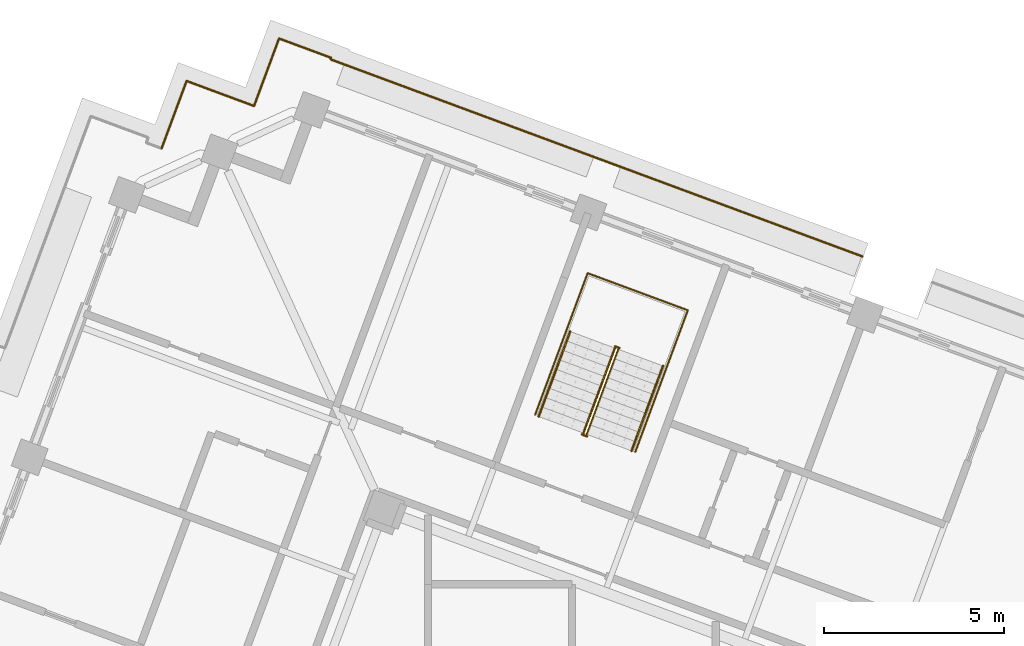
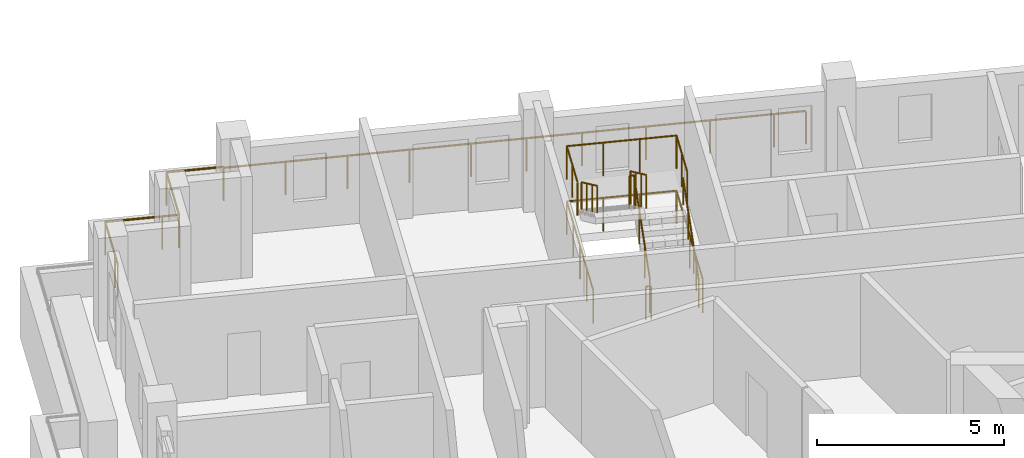
# One storey, part 17 of 19: 8 railings.
"""IFC4 building model written with IfcOpenShell, lengths in metres."""

from ifc_helpers import new_model, si_unit, direction, frame, origin, origin_2d, place, context, subcontext, project, spatial, circle, extrude, material, type_object, element, save


model = new_model("IFC4")

# Units and contexts
model_context = context("Model", 3, precision=1e-05, world=origin(), true_north=direction((0.0, 1.0)))
body_context = subcontext(model_context, "Body", "Model", "MODEL_VIEW")
ifc_project = project(units=[si_unit("LENGTHUNIT", "METRE"), si_unit("AREAUNIT", "SQUARE_METRE"), si_unit("VOLUMEUNIT", "CUBIC_METRE"), si_unit("PLANEANGLEUNIT", "RADIAN"), si_unit("MASSUNIT", "GRAM", prefix="KILO")], contexts=[model_context])

# Site, building, storey
site_placement = place(None, origin())
site = spatial("IfcSite", under=ifc_project, at=site_placement, CompositionType="ELEMENT")
building_placement = place(site_placement, origin())
building = spatial("IfcBuilding", under=site, at=building_placement, Name="Cantera Rosa Tower", CompositionType="ELEMENT")
storey_placement = place(building_placement, frame((0.0, 0.0, 327.699951171875)))
storey = spatial("IfcBuildingStorey", under=building, at=storey_placement, Name="L73", CompositionType="ELEMENT", Elevation=327.699951171875)

# Railings
ifc_material_1 = material(Name="Stainless steel and laminated glass", Category="steel")
railing_type_1 = type_object("IfcRailingType", Name="GUARD 1100", PredefinedType="BALUSTRADE", material=ifc_material_1)
railing_1_placement = place(storey_placement, frame((-11.4072265625, 26.618408203125, 0.0)))
element("IfcRailing", 1, at=railing_1_placement, inside=storey, type_object=railing_type_1, Name="GUARD L73-5", PredefinedType="BALUSTRADE", context=body_context, shape_type="SweptSolid", body=[
    extrude(circle(Radius=0.030029296875, at=origin_2d()), frame((0.0, 0.0, 1.070068359375), z_axis=(0.347349380186, 0.937735787994, 0.0), x_axis=(-0.937735787994, 0.347349380186, 0.0)), (0.0, 0.0, 1.0), 0.4541015625),
    extrude(circle(Radius=0.030029296875, at=origin_2d()), frame((0.15771484375, 0.42578125, 1.070068359375), z_axis=(0.347468671564, 0.937691592306, 0.0), x_axis=(-0.937691592306, 0.347468671564, 0.0)), (0.0, 0.0, 1.0), 1.5458984375),
    extrude(circle(Radius=0.030029296875, at=origin_2d()), frame((0.69482421875, 1.875244140625, 1.070068359375), z_axis=(0.937691592306, -0.347468671564, 0.0), x_axis=(0.347468671564, 0.937691592306, 0.0)), (0.0, 0.0, 1.0), 1.5458984375),
    extrude(circle(Radius=0.030029296875, at=origin_2d()), frame((2.144287109375, 1.338134765625, 1.070068359375), z_axis=(0.937625552155, -0.347646837962, 0.0), x_axis=(0.347646837962, 0.937625552155, 0.0)), (0.0, 0.0, 1.0), 0.454345703125),
    extrude(circle(Radius=0.030029296875, at=origin_2d()), frame((2.5703125, 1.18017578125, 1.070068359375), z_axis=(0.347401818267, 0.937716362588, 0.0), x_axis=(-0.937716362588, 0.347401818267, 0.0)), (0.0, 0.0, 1.0), 2.0),
    extrude(circle(Radius=0.030029296875, at=origin_2d()), frame((3.26513671875, 3.0556640625, 1.070068359375), z_axis=(0.937710656911, -0.347417218795, 0.0), x_axis=(0.347417218795, 0.937710656911, 0.0)), (0.0, 0.0, 1.0), 1.5458984375),
    extrude(circle(Radius=0.030029296875, at=origin_2d()), frame((4.71484375, 2.5185546875, 1.070068359375), z_axis=(-0.351123441588, -0.936329177569, 0.0), x_axis=(0.936329177569, -0.351123441588, 0.0)), (0.0, 0.0, 1.0), 0.0458984375),
    extrude(circle(Radius=0.030029296875, at=origin_2d()), frame((4.69873046875, 2.4755859375, 1.070068359375), z_axis=(0.937686328856, -0.347482875373, 0.0), x_axis=(0.347482875373, 0.937686328856, 0.0)), (0.0, 0.0, 1.0), 6.699951171875),
    extrude(circle(Radius=0.030029296875, at=origin_2d()), frame((10.981201171875, 0.1474609375, 1.070068359375), z_axis=(0.93768985062, -0.347473371704, 0.0), x_axis=(0.347473371704, 0.93768985062, 0.0)), (0.0, 0.0, 1.0), 3.000244140625),
    extrude(circle(Radius=0.030029296875, at=origin_2d()), frame((13.79443359375, -0.89501953125, 1.070068359375), z_axis=(0.937688147358, -0.347477968085, 0.0), x_axis=(0.347477968085, 0.937688147358, 0.0)), (0.0, 0.0, 1.0), 5.199951171875),
    extrude(circle(Radius=0.030029296875, at=origin_2d()), frame((18.67041015625, -2.701904296875, 1.070068359375), z_axis=(0.937694580373, -0.347460607753, 0.0), x_axis=(0.347460607753, 0.937694580373, 0.0)), (0.0, 0.0, 1.0), 0.869873046875),
    extrude(circle(Radius=0.02490234375, at=origin_2d()), origin(), (0.0, 0.0, 1.0), 1.0400390625),
    extrude(circle(Radius=0.02490234375, at=origin_2d()), frame((0.15771484375, 0.42578125, 0.0)), (0.0, 0.0, 1.0), 1.0400390625),
    extrude(circle(Radius=0.02490234375, at=origin_2d()), frame((0.69482421875, 1.875244140625, 0.0)), (0.0, 0.0, 1.0), 1.0400390625),
    extrude(circle(Radius=0.02490234375, at=origin_2d()), frame((2.144287109375, 1.338134765625, 0.0)), (0.0, 0.0, 1.0), 1.0400390625),
    extrude(circle(Radius=0.02490234375, at=origin_2d()), frame((2.5703125, 1.18017578125, 0.0)), (0.0, 0.0, 1.0), 1.0400390625),
    extrude(circle(Radius=0.02490234375, at=origin_2d()), frame((3.26513671875, 3.0556640625, 0.0)), (0.0, 0.0, 1.0), 1.0400390625),
    extrude(circle(Radius=0.02490234375, at=origin_2d()), frame((4.71484375, 2.5185546875, 0.0)), (0.0, 0.0, 1.0), 1.0400390625),
    extrude(circle(Radius=0.02490234375, at=origin_2d()), frame((4.69873046875, 2.4755859375, 0.0)), (0.0, 0.0, 1.0), 1.0400390625),
    extrude(circle(Radius=0.02490234375, at=origin_2d()), frame((6.269287109375, 1.8935546875, 0.0)), (0.0, 0.0, 1.0), 1.0400390625),
    extrude(circle(Radius=0.02490234375, at=origin_2d()), frame((7.83984375, 1.3115234375, 0.0)), (0.0, 0.0, 1.0), 1.0400390625),
    extrude(circle(Radius=0.02490234375, at=origin_2d()), frame((9.41064453125, 0.7294921875, 0.0)), (0.0, 0.0, 1.0), 1.0400390625),
    extrude(circle(Radius=0.02490234375, at=origin_2d()), frame((10.981201171875, 0.1474609375, 0.0)), (0.0, 0.0, 1.0), 1.0400390625),
    extrude(circle(Radius=0.02490234375, at=origin_2d()), frame((12.3876953125, -0.373779296875, 0.0)), (0.0, 0.0, 1.0), 1.0400390625),
    extrude(circle(Radius=0.02490234375, at=origin_2d()), frame((13.79443359375, -0.89501953125, 0.0)), (0.0, 0.0, 1.0), 1.0400390625),
    extrude(circle(Radius=0.02490234375, at=origin_2d()), frame((15.419677734375, -1.497314453125, 0.0)), (0.0, 0.0, 1.0), 1.0400390625),
    extrude(circle(Radius=0.02490234375, at=origin_2d()), frame((17.045166015625, -2.099609375, 0.0)), (0.0, 0.0, 1.0), 1.0400390625),
    extrude(circle(Radius=0.02490234375, at=origin_2d()), frame((18.67041015625, -2.701904296875, 0.0)), (0.0, 0.0, 1.0), 1.0400390625),
    extrude(circle(Radius=0.02490234375, at=origin_2d()), frame((19.486083984375, -3.004150390625, 0.0)), (0.0, 0.0, 1.0), 1.0400390625),
])
ifc_material_2 = material(Name="Steel S355J2 (EN 10025-2)", Category="steel")
railing_type_2 = type_object("IfcRailingType", Name="STAIR GUARD 1100", PredefinedType="GUARDRAIL", material=ifc_material_2)
railing_2_placement = place(storey_placement, frame((0.412109375, 18.670166015625, 0.179931640625)))
element("IfcRailing", 2, at=railing_2_placement, inside=storey, type_object=railing_type_2, Name="L73 ST-62 stair guard 1", PredefinedType="GUARDRAIL", context=body_context, shape_type="SweptSolid", body=[
    extrude(circle(Radius=0.02392578125, at=origin_2d()), frame((0.0, 0.0, 1.076171875), z_axis=(0.292306804437, 0.788747577403, 0.540771662738), x_axis=(-0.937679794265, 0.347500508527, 0.0)), (0.0, 0.0, 1.0), 2.995849609375),
    extrude(circle(Radius=0.02392578125, at=origin_2d()), frame((0.875732421875, 2.363037109375, 2.6962890625), z_axis=(0.740919573429, 0.671593765389, 0.0), x_axis=(-0.671593765389, 0.740919573429, 0.0)), (0.0, 0.0, 1.0), 0.056396484375),
    extrude(circle(Radius=0.02392578125, at=origin_2d()), frame((0.91748046875, 2.40087890625, 2.6962890625), z_axis=(-0.937925419525, 0.346837004095, 0.0), x_axis=(-0.346837004095, -0.937925419525, 0.0)), (0.0, 0.0, 1.0), 0.14990234375),
    extrude(circle(Radius=0.02099609375, at=origin_2d()), origin(), (0.0, 0.0, 1.0), 1.052001953125),
    extrude(circle(Radius=0.02099609375, at=origin_2d()), frame((0.2919921875, 0.78759765625, 0.5400390625)), (0.0, 0.0, 1.0), 1.052001953125),
    extrude(circle(Radius=0.02099609375, at=origin_2d()), frame((0.583740234375, 1.575439453125, 1.080078125)), (0.0, 0.0, 1.0), 1.052001953125),
    extrude(circle(Radius=0.02099609375, at=origin_2d()), frame((0.875732421875, 2.363037109375, 1.6201171875)), (0.0, 0.0, 1.0), 1.052001953125),
    extrude(circle(Radius=0.02099609375, at=origin_2d()), frame((0.91748046875, 2.40087890625, 1.6201171875)), (0.0, 0.0, 1.0), 1.052001953125),
    extrude(circle(Radius=0.02099609375, at=origin_2d()), frame((0.77685546875, 2.452880859375, 1.6201171875)), (0.0, 0.0, 1.0), 1.052001953125),
])
railing_3_placement = place(storey_placement, frame((1.196044921875, 21.067138671875, 1.97998046875)))
element("IfcRailing", 3, at=railing_3_placement, inside=storey, type_object=railing_type_2, Name="L73 ST-62 stair guard 2", PredefinedType="GUARDRAIL", context=body_context, shape_type="SweptSolid", body=[
    extrude(circle(Radius=0.02392578125, at=origin_2d()), frame((0.0, 0.0, 1.076171875), z_axis=(-0.292306804437, -0.788747577403, 0.540771662738), x_axis=(0.937679794265, -0.347500508527, 0.0)), (0.0, 0.0, 1.0), 2.995849609375),
    extrude(circle(Radius=0.02099609375, at=origin_2d()), origin(), (0.0, 0.0, 1.0), 1.052001953125),
    extrude(circle(Radius=0.02099609375, at=origin_2d()), frame((-0.2919921875, -0.78759765625, 0.5400390625)), (0.0, 0.0, 1.0), 1.052001953125),
    extrude(circle(Radius=0.02099609375, at=origin_2d()), frame((-0.583740234375, -1.575439453125, 1.080078125)), (0.0, 0.0, 1.0), 1.052001953125),
    extrude(circle(Radius=0.02099609375, at=origin_2d()), frame((-0.875732421875, -2.363037109375, 1.6201171875)), (0.0, 0.0, 1.0), 1.052001953125),
])
railing_4_placement = place(storey_placement, frame((0.419189453125, 18.6142578125, 0.0)))
element("IfcRailing", 4, at=railing_4_placement, inside=storey, type_object=railing_type_2, Name="L73 ST-62 stair guard 3", PredefinedType="GUARDRAIL", context=body_context, shape_type="SweptSolid", body=[
    extrude(circle(Radius=0.02392578125, at=origin_2d()), frame((0.0, 0.0, 1.076171875), z_axis=(-0.937925419525, 0.346837004095, 0.0), x_axis=(-0.346837004095, -0.937925419525, 0.0)), (0.0, 0.0, 1.0), 0.14990234375),
    extrude(circle(Radius=0.02099609375, at=origin_2d()), origin(), (0.0, 0.0, 1.0), 1.052001953125),
    extrude(circle(Radius=0.02099609375, at=origin_2d()), frame((-0.140625, 0.052001953125, 0.0)), (0.0, 0.0, 1.0), 1.052001953125),
])
railing_5_placement = place(storey_placement, frame((1.762939453125, 18.182373046875, 0.0)))
element("IfcRailing", 5, at=railing_5_placement, inside=storey, type_object=railing_type_2, Name="L73 ST-62 stair guard 4", PredefinedType="GUARDRAIL", context=body_context, shape_type="SweptSolid", body=[
    extrude(circle(Radius=0.02392578125, at=origin_2d()), frame((0.0, 0.0, 1.076171875), z_axis=(0.347475346394, 0.937689118871, 0.0), x_axis=(-0.937689118871, 0.347475346394, 0.0)), (0.0, 0.0, 1.0), 4.197998046875),
    extrude(circle(Radius=0.02392578125, at=origin_2d()), frame((1.458740234375, 3.9365234375, 1.076171875), z_axis=(-0.937690243436, 0.347472311651, 0.0), x_axis=(-0.347472311651, -0.937690243436, 0.0)), (0.0, 0.0, 1.0), 2.969970703125),
    extrude(circle(Radius=0.02392578125, at=origin_2d()), frame((-1.326171875, 4.968505859375, 1.076171875), z_axis=(-0.347475346394, -0.937689118871, 0.0), x_axis=(0.937689118871, -0.347475346394, 0.0)), (0.0, 0.0, 1.0), 4.197998046875),
    extrude(circle(Radius=0.02099609375, at=origin_2d()), origin(), (0.0, 0.0, 1.0), 1.052001953125),
    extrude(circle(Radius=0.02099609375, at=origin_2d()), frame((0.36474609375, 0.984130859375, 0.0)), (0.0, 0.0, 1.0), 1.052001953125),
    extrude(circle(Radius=0.02099609375, at=origin_2d()), frame((0.7294921875, 1.96826171875, 0.0)), (0.0, 0.0, 1.0), 1.052001953125),
    extrude(circle(Radius=0.02099609375, at=origin_2d()), frame((1.093994140625, 2.952392578125, 0.0)), (0.0, 0.0, 1.0), 1.052001953125),
    extrude(circle(Radius=0.02099609375, at=origin_2d()), frame((1.458740234375, 3.9365234375, 0.0)), (0.0, 0.0, 1.0), 1.052001953125),
    extrude(circle(Radius=0.02099609375, at=origin_2d()), frame((0.530517578125, 4.280517578125, 0.0)), (0.0, 0.0, 1.0), 1.052001953125),
    extrude(circle(Radius=0.02099609375, at=origin_2d()), frame((-0.39794921875, 4.62451171875, 0.0)), (0.0, 0.0, 1.0), 1.052001953125),
    extrude(circle(Radius=0.02099609375, at=origin_2d()), frame((-1.326171875, 4.968505859375, 0.0)), (0.0, 0.0, 1.0), 1.052001953125),
    extrude(circle(Radius=0.02099609375, at=origin_2d()), frame((-1.69091796875, 3.984375, 0.0)), (0.0, 0.0, 1.0), 1.052001953125),
    extrude(circle(Radius=0.02099609375, at=origin_2d()), frame((-2.0556640625, 3.000244140625, 0.0)), (0.0, 0.0, 1.0), 1.052001953125),
    extrude(circle(Radius=0.02099609375, at=origin_2d()), frame((-2.420166015625, 2.01611328125, 0.0)), (0.0, 0.0, 1.0), 1.052001953125),
    extrude(circle(Radius=0.02099609375, at=origin_2d()), frame((-2.784912109375, 1.031982421875, 0.0)), (0.0, 0.0, 1.0), 1.052001953125),
])
railing_6_placement = place(storey_placement, frame((2.630126953125, 20.52294921875, 1.800048828125)))
element("IfcRailing", 6, at=railing_6_placement, inside=storey, type_object=railing_type_2, Name="L73 ST-62 stair guard 5", PredefinedType="GUARDRAIL", context=body_context, shape_type="SweptSolid", body=[
    extrude(circle(Radius=0.02392578125, at=origin_2d()), frame((0.0, 0.0, 1.076171875), z_axis=(0.347552602091, 0.937660486946, 0.0), x_axis=(-0.937660486946, 0.347552602091, 0.0)), (0.0, 0.0, 1.0), 1.7021484375),
    extrude(circle(Radius=0.02392578125, at=origin_2d()), frame((0.591552734375, 1.595947265625, 1.076171875), z_axis=(-0.937690243436, 0.347472311651, 0.0), x_axis=(-0.347472311651, -0.937690243436, 0.0)), (0.0, 0.0, 1.0), 2.969970703125),
    extrude(circle(Radius=0.02392578125, at=origin_2d()), frame((-2.193359375, 2.6279296875, 1.076171875), z_axis=(-0.347552602091, -0.937660486946, 0.0), x_axis=(0.937660486946, -0.347552602091, 0.0)), (0.0, 0.0, 1.0), 1.7021484375),
    extrude(circle(Radius=0.02099609375, at=origin_2d()), origin(), (0.0, 0.0, 1.0), 1.052001953125),
    extrude(circle(Radius=0.02099609375, at=origin_2d()), frame((0.2958984375, 0.7978515625, 0.0)), (0.0, 0.0, 1.0), 1.052001953125),
    extrude(circle(Radius=0.02099609375, at=origin_2d()), frame((0.591552734375, 1.595947265625, 0.0)), (0.0, 0.0, 1.0), 1.052001953125),
    extrude(circle(Radius=0.02099609375, at=origin_2d()), frame((-0.336669921875, 1.93994140625, 0.0)), (0.0, 0.0, 1.0), 1.052001953125),
    extrude(circle(Radius=0.02099609375, at=origin_2d()), frame((-1.26513671875, 2.283935546875, 0.0)), (0.0, 0.0, 1.0), 1.052001953125),
    extrude(circle(Radius=0.02099609375, at=origin_2d()), frame((-2.193359375, 2.6279296875, 0.0)), (0.0, 0.0, 1.0), 1.052001953125),
    extrude(circle(Radius=0.02099609375, at=origin_2d()), frame((-2.4892578125, 1.830078125, 0.0)), (0.0, 0.0, 1.0), 1.052001953125),
    extrude(circle(Radius=0.02099609375, at=origin_2d()), frame((-2.784912109375, 1.031982421875, 0.0)), (0.0, 0.0, 1.0), 1.052001953125),
])
ifc_material_3 = material(Name="Steel S355J2 (EN 10025-2)", Category="steel")
railing_type_3 = type_object("IfcRailingType", Name="STAIR HANDRAIL 900", PredefinedType="HANDRAIL", material=ifc_material_3)
railing_7_placement = place(storey_placement, frame((1.655517578125, 18.20947265625, 0.179931640625)))
element("IfcRailing", 7, at=railing_7_placement, inside=storey, type_object=railing_type_3, Name="L73 ST-62 stair handrail 1", PredefinedType="HANDRAIL", context=body_context, shape_type="SweptSolid", body=[
    extrude(circle(Radius=0.02392578125, at=origin_2d()), frame((0.0, 0.0, 0.8759765625), z_axis=(0.292325593449, 0.788716780987, 0.540806422673), x_axis=(-0.937668094043, 0.347532078253, 0.0)), (0.0, 0.0, 1.0), 2.995849609375),
    extrude(circle(Radius=0.02099609375, at=origin_2d()), origin(), (0.0, 0.0, 1.0), 0.851806640625),
    extrude(circle(Radius=0.02099609375, at=origin_2d()), frame((0.2919921875, 0.78759765625, 0.5400390625)), (0.0, 0.0, 1.0), 0.851806640625),
    extrude(circle(Radius=0.02099609375, at=origin_2d()), frame((0.583740234375, 1.5751953125, 1.080078125)), (0.0, 0.0, 1.0), 0.851806640625),
    extrude(circle(Radius=0.02099609375, at=origin_2d()), frame((0.875732421875, 2.36279296875, 1.6201171875)), (0.0, 0.0, 1.0), 0.851806640625),
])
railing_8_placement = place(storey_placement, frame((-0.04736328125, 21.52783203125, 1.97998046875)))
element("IfcRailing", 8, at=railing_8_placement, inside=storey, type_object=railing_type_3, Name="L73 ST-62 stair handrail 2", PredefinedType="HANDRAIL", context=body_context, shape_type="SweptSolid", body=[
    extrude(circle(Radius=0.02392578125, at=origin_2d()), frame((0.0, 0.0, 0.8759765625), z_axis=(-0.292325593449, -0.788716780987, 0.540806422673), x_axis=(0.937668094043, -0.347532078253, 0.0)), (0.0, 0.0, 1.0), 2.995849609375),
    extrude(circle(Radius=0.02099609375, at=origin_2d()), origin(), (0.0, 0.0, 1.0), 0.851806640625),
    extrude(circle(Radius=0.02099609375, at=origin_2d()), frame((-0.2919921875, -0.78759765625, 0.5400390625)), (0.0, 0.0, 1.0), 0.851806640625),
    extrude(circle(Radius=0.02099609375, at=origin_2d()), frame((-0.583740234375, -1.5751953125, 1.080078125)), (0.0, 0.0, 1.0), 0.851806640625),
    extrude(circle(Radius=0.02099609375, at=origin_2d()), frame((-0.875732421875, -2.36279296875, 1.6201171875)), (0.0, 0.0, 1.0), 0.851806640625),
])

save(model, "model.ifc")
